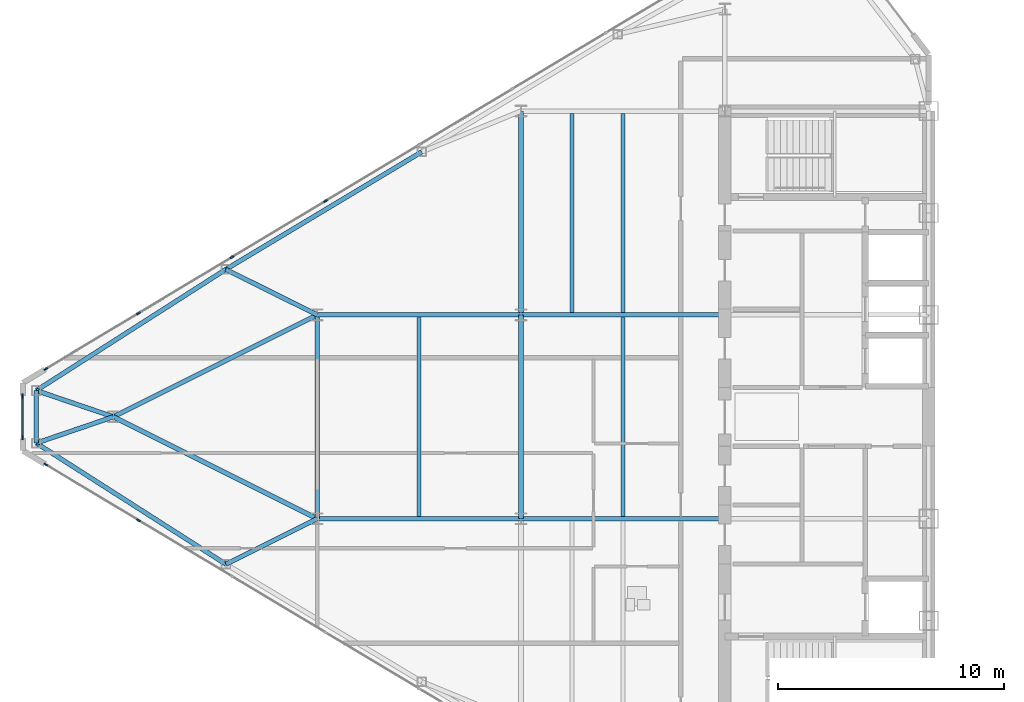
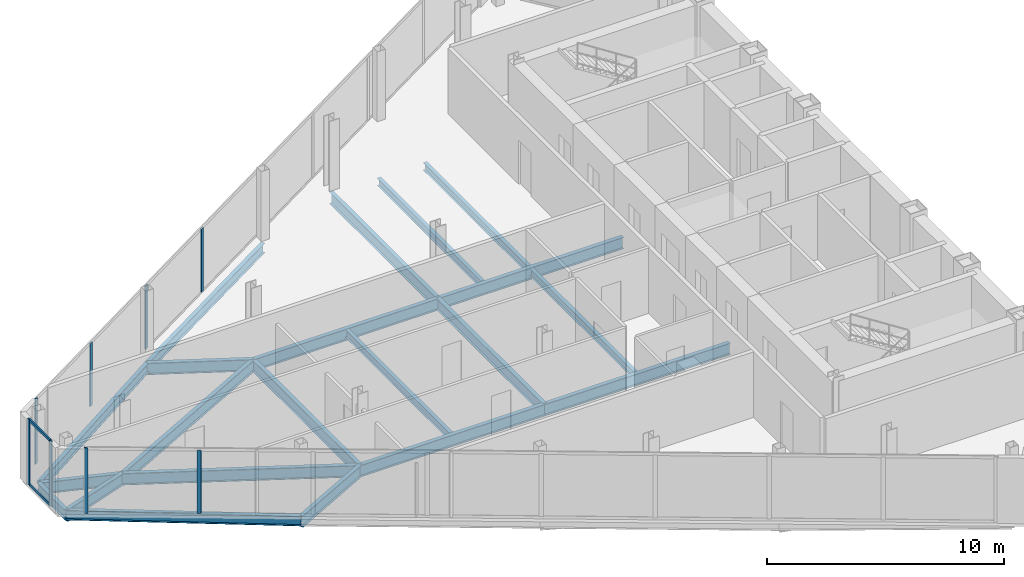
# One storey, part 7 of 25: 21 beams, 10 members, 3 elements without a shape of their own.
"""IFC4 building model written with IfcOpenShell, lengths in metres."""

from ifc_helpers import new_model, si_unit, direction, frame, origin, origin_2d, place, context, subcontext, project, spatial, rectangle, i_section, extrude, source, transform, mapped, material, layer, layer_set, material_profile, profile_set, type_object, type_shapes, element, aggregate, save


model = new_model("IFC4")

# Units and contexts
model_context = context("Model", 3, precision=1e-05, world=origin(), true_north=direction((0.0, 1.0)))
body_context = subcontext(model_context, "Body", "Model", "MODEL_VIEW")
ifc_project = project(units=[si_unit("LENGTHUNIT", "METRE"), si_unit("AREAUNIT", "SQUARE_METRE"), si_unit("VOLUMEUNIT", "CUBIC_METRE"), si_unit("PLANEANGLEUNIT", "RADIAN"), si_unit("MASSUNIT", "GRAM", prefix="KILO")], contexts=[model_context])

# Site, building, storey
site_placement = place(None, origin())
site = spatial("IfcSite", under=ifc_project, at=site_placement, CompositionType="ELEMENT")
building_placement = place(site_placement, origin())
building = spatial("IfcBuilding", under=site, at=building_placement, Name="Seokmaru Belvedere", CompositionType="ELEMENT")
storey_placement = place(building_placement, frame((0.0, 0.0, 206.699951171875)))
storey = spatial("IfcBuildingStorey", under=building, at=storey_placement, Name="L55", CompositionType="ELEMENT", Elevation=206.699951171875)

# Beams
ifc_material_1 = material(Name="Steel SM355 (355 MPa)", Category="steel")
ifc_material_profile_1 = material_profile(ifc_material_1, i_section(OverallWidth=0.199951171875, OverallDepth=0.60009765625, WebThickness=0.010986328125, FlangeThickness=0.01708984375, at=origin_2d()), Name="H-600x200x11x17")
ifc_profile_set_1 = profile_set([ifc_material_profile_1], Name="Steel SM355 (355 MPa)")
beam_type_1 = type_object("IfcBeamType", Name="Primary Floor Girder H-600", PredefinedType="BEAM", material=ifc_profile_set_1)
shared_shape_1 = source(origin(), body_context, "Body", "SweptSolid", [
    extrude(i_section(OverallWidth=0.199951171875, OverallDepth=0.60009765625, WebThickness=0.010986328125, FlangeThickness=0.01708984375, at=origin_2d()), origin(), (0.0, 0.0, 1.0), 9.0),
])
for number, where, z_axis, x_axis, name in (
    (1, (-45.5, -4.5, -0.52001953125), (0.0, 1.0, 0.0), (-1.0, 0.0, 0.0), "L55 W Interior Grid Girder 2"),
    (2, (-45.5, 4.5, -0.52001953125), (0.0, 1.0, 0.0), (-1.0, 0.0, 0.0), "L55 W Interior Grid Girder 3"),
    (3, (-45.5, -4.5, -0.52001953125), (1.0, 0.0, 0.0), (0.0, 1.0, 0.0), "L55 W Wing Primary Girder 2"),
    (4, (-45.5, 4.5, -0.52001953125), (1.0, 0.0, 0.0), (0.0, 1.0, 0.0), "L55 W Wing Primary Girder 3"),
    (5, (-54.5, -4.5, -0.52001953125), (1.0, 0.0, 0.0), (0.0, 1.0, 0.0), "L55 W Outer Wing Girder 1"),
    (6, (-54.5, 4.5, -0.52001953125), (1.0, 0.0, 0.0), (0.0, 1.0, 0.0), "L55 W Outer Wing Girder 2"),
    (7, (-54.5, -4.5, -0.52001953125), (0.0, 1.0, 0.0), (-1.0, 0.0, 0.0), "L55 W Apex Frame Girder"),
):
    element("IfcBeam", number, at=place(storey_placement, frame(where, z_axis=z_axis, x_axis=x_axis)), inside=storey, type_object=beam_type_1, Name=name, PredefinedType="BEAM", context=body_context, shape_type="MappedRepresentation", body=[
        mapped(shared_shape_1, transform((0.0, 0.0, 0.0), scale=1.0)),
    ])
shared_shape_2 = source(origin(), body_context, "Body", "SweptSolid", [
    extrude(i_section(OverallWidth=0.199951171875, OverallDepth=0.60009765625, WebThickness=0.010986328125, FlangeThickness=0.01708984375, at=origin_2d()), origin(), (0.0, 0.0, 1.0), 10.062255859375),
])
for number, where, z_axis, x_axis, name in (
    (8, (-54.5, -4.5, -0.52001953125), (-0.894427191, 0.4472135955, 0.0), (-0.4472135955, -0.894427191, 0.0), "L55 W Apex Converging Girder 1"),
    (9, (-54.5, 4.5, -0.52001953125), (-0.894427191, -0.4472135955, 0.0), (0.4472135955, -0.894427191, 0.0), "L55 W Apex Converging Girder 2"),
):
    element("IfcBeam", number, at=place(storey_placement, frame(where, z_axis=z_axis, x_axis=x_axis)), inside=storey, type_object=beam_type_1, Name=name, PredefinedType="BEAM", context=body_context, shape_type="MappedRepresentation", body=[
        mapped(shared_shape_2, transform((0.0, 0.0, 0.0), scale=1.0)),
    ])
ifc_material_profile_2 = material_profile(ifc_material_1, i_section(OverallWidth=0.18505859375, OverallDepth=0.389892578125, WebThickness=0.008056640625, FlangeThickness=0.011962890625, at=origin_2d()), Name="H-390x185x8x12")
ifc_profile_set_2 = profile_set([ifc_material_profile_2], Name="Steel SM355 (355 MPa)")
beam_type_2 = type_object("IfcBeamType", Name="Secondary Floor Joist H-350", PredefinedType="JOIST", material=ifc_profile_set_2)
shared_shape_3 = source(origin(), body_context, "Body", "SweptSolid", [
    extrude(i_section(OverallWidth=0.18505859375, OverallDepth=0.389892578125, WebThickness=0.008056640625, FlangeThickness=0.011962890625, at=origin_2d()), origin(), (0.0, 0.0, 1.0), 8.7900390625),
])
type_shapes(beam_type_2, [shared_shape_3])
for number, where, z_axis, x_axis, name in (
    (10, (-43.25, 4.60498046875, -0.4150390625), (0.0, 1.0, 0.0), (-1.0, 0.0, 0.0), "L55 W Wing Inner Secondary Joist 2"),
    (11, (-41.0, -4.39501953125, -0.4150390625), (0.0, 1.0, 0.0), (-1.0, 0.0, 0.0), "L55 W Secondary Floor Joist 2"),
    (12, (-41.0, 4.60498046875, -0.4150390625), (0.0, 1.0, 0.0), (-1.0, 0.0, 0.0), "L55 W Secondary Floor Joist 3"),
    (13, (-50.0, -4.39501953125, -0.4150390625), (0.0, 1.0, 0.0), (-1.0, 0.0, 0.0), "L55 W Outer Bay Secondary Joist"),
):
    element("IfcBeam", number, at=place(storey_placement, frame(where, z_axis=z_axis, x_axis=x_axis)), inside=storey, type_object=beam_type_2, Name=name, PredefinedType="JOIST", context=body_context, shape_type="MappedRepresentation", body=[
        mapped(shared_shape_3, transform((0.0, 0.0, 0.0), scale=1.0)),
    ])
ifc_material_profile_3 = material_profile(ifc_material_1, i_section(OverallWidth=0.199951171875, OverallDepth=0.5, WebThickness=0.010009765625, FlangeThickness=0.01611328125, at=origin_2d()), Name="H-500x200x10x16")
ifc_profile_set_3 = profile_set([ifc_material_profile_3], Name="Steel SM355 (355 MPa)")
beam_type_3 = type_object("IfcBeamType", Name="Perimeter Spandrel Beam H-500", PredefinedType="SPANDREL", material=ifc_profile_set_3)
shared_shape_4 = source(origin(), body_context, "Body", "SweptSolid", [
    extrude(i_section(OverallWidth=0.199951171875, OverallDepth=0.5, WebThickness=0.010009765625, FlangeThickness=0.01611328125, at=origin_2d()), origin(), (0.0, 0.0, 1.0), 10.087646484375),
])
beam_1_placement = place(storey_placement, frame((-49.8798828125, 11.698974609375, -0.469970703125), z_axis=(-0.857488654804, -0.514502873542, 0.0), x_axis=(0.514502873542, -0.857488654804, 0.0)))
element("IfcBeam", 14, at=beam_1_placement, inside=storey, type_object=beam_type_3, Name="L55 W Faceted Flank Spandrel N-3", PredefinedType="SPANDREL", context=body_context, shape_type="MappedRepresentation", body=[
    mapped(shared_shape_4, transform((0.0, 0.0, 0.0), scale=1.0)),
])
shared_shape_5 = source(origin(), body_context, "Body", "SweptSolid", [
    extrude(i_section(OverallWidth=0.199951171875, OverallDepth=0.5, WebThickness=0.010009765625, FlangeThickness=0.01611328125, at=origin_2d()), origin(), (0.0, 0.0, 1.0), 9.932861328125),
])
for number, where, z_axis, x_axis, name in (
    (15, (-58.530029296875, -6.5087890625, -0.469970703125), (-0.842651960357, 0.538458609093, 0.0), (-0.538458609093, -0.842651960357, 0.0), "L55 W Faceted Flank Spandrel S-4"),
    (16, (-58.530029296875, 6.5087890625, -0.469970703125), (-0.842651960357, -0.538458609093, 0.0), (0.538458609093, -0.842651960357, 0.0), "L55 W Faceted Flank Spandrel N-4"),
):
    element("IfcBeam", number, at=place(storey_placement, frame(where, z_axis=z_axis, x_axis=x_axis)), inside=storey, type_object=beam_type_3, Name=name, PredefinedType="SPANDREL", context=body_context, shape_type="MappedRepresentation", body=[
        mapped(shared_shape_5, transform((0.0, 0.0, 0.0), scale=1.0)),
    ])
shared_shape_6 = source(origin(), body_context, "Body", "SweptSolid", [
    extrude(i_section(OverallWidth=0.199951171875, OverallDepth=0.5, WebThickness=0.010009765625, FlangeThickness=0.01611328125, at=origin_2d()), origin(), (0.0, 0.0, 1.0), 2.32080078125),
])
type_shapes(beam_type_3, [shared_shape_4, shared_shape_5, shared_shape_6])
beam_2_placement = place(storey_placement, frame((-66.89990234375, -1.160400390625, -0.469970703125), z_axis=(0.0, 1.0, 0.0), x_axis=(-1.0, 0.0, 0.0)))
element("IfcBeam", 17, at=beam_2_placement, inside=storey, type_object=beam_type_3, Name="L55 W Faceted Apex Spandrel", PredefinedType="SPANDREL", context=body_context, shape_type="MappedRepresentation", body=[
    mapped(shared_shape_6, transform((0.0, 0.0, 0.0), scale=1.0)),
])
shared_shape_7 = source(origin(), body_context, "Body", "SweptSolid", [
    extrude(i_section(OverallWidth=0.199951171875, OverallDepth=0.60009765625, WebThickness=0.010986328125, FlangeThickness=0.01708984375, at=origin_2d()), origin(), (0.0, 0.0, 1.0), 4.5029296875),
])
for number, where, z_axis, x_axis, name in (
    (18, (-58.530029296875, -6.5087890625, -0.52001953125), (0.894979532585, 0.446107202648, 0.0), (-0.446107202648, 0.894979532585, 0.0), "L55 W Flank Radial Floor Girder S-3"),
    (19, (-58.530029296875, 6.5087890625, -0.52001953125), (0.894979532585, -0.446107202648, 0.0), (0.446107202648, 0.894979532585, 0.0), "L55 W Flank Radial Floor Girder N-3"),
):
    element("IfcBeam", number, at=place(storey_placement, frame(where, z_axis=z_axis, x_axis=x_axis)), inside=storey, type_object=beam_type_1, Name=name, PredefinedType="BEAM", context=body_context, shape_type="MappedRepresentation", body=[
        mapped(shared_shape_7, transform((0.0, 0.0, 0.0), scale=1.0)),
    ])
shared_shape_8 = source(origin(), body_context, "Body", "SweptSolid", [
    extrude(i_section(OverallWidth=0.199951171875, OverallDepth=0.60009765625, WebThickness=0.010986328125, FlangeThickness=0.01708984375, at=origin_2d()), origin(), (0.0, 0.0, 1.0), 3.592529296875),
])
type_shapes(beam_type_1, [shared_shape_1, shared_shape_2, shared_shape_7, shared_shape_8])
for number, where, z_axis, x_axis, name in (
    (20, (-66.89990234375, -1.160400390625, -0.52001953125), (0.946395973048, 0.323008764893, 0.0), (-0.323008764893, 0.946395973048, 0.0), "L55 W Apex Radial Floor Girder 1"),
    (21, (-66.89990234375, 1.160400390625, -0.52001953125), (0.946395973048, -0.323008764893, 0.0), (0.323008764893, 0.946395973048, 0.0), "L55 W Apex Radial Floor Girder 2"),
):
    element("IfcBeam", number, at=place(storey_placement, frame(where, z_axis=z_axis, x_axis=x_axis)), inside=storey, type_object=beam_type_1, Name=name, PredefinedType="BEAM", context=body_context, shape_type="MappedRepresentation", body=[
        mapped(shared_shape_8, transform((0.0, 0.0, 0.0), scale=1.0)),
    ])

# Curtain wall, members
ifc_material_2 = material(Name="Bronze Triple Insulating Glass", Category="glass")
ifc_layer = layer(ifc_material_2, 0.179931640625)
ifc_layer_set = layer_set([ifc_layer], Name="Bronze Triple Insulating Glass")
curtain_wall_type = type_object("IfcCurtainWallType", Name="High-Rise Wind-Corner Curtain Wall System CW-5", PredefinedType="NOTDEFINED", material=ifc_layer_set)
curtain_wall_1_placement = place(storey_placement, origin())
curtain_wall_1 = element("IfcCurtainWall", 22, at=curtain_wall_1_placement, inside=storey, type_object=curtain_wall_type, Name="L55 Curtain Wall WF3", PredefinedType="NOTDEFINED")
ifc_material_3 = material(Name="Anodised Bronze Aluminium", Category="aluminium")
ifc_material_profile_4 = material_profile(ifc_material_3, rectangle(XDim=0.06494140625, YDim=0.179931640625, at=origin_2d()), Name="CW-M-65x180")
ifc_profile_set_4 = profile_set([ifc_material_profile_4], Name="Anodised Bronze Aluminium")
member_type_1 = type_object("IfcMemberType", Name="Bronze Unitised Mullion 65x180", PredefinedType="MULLION", material=ifc_profile_set_4)
shared_shape_9 = source(origin(), body_context, "Body", "SweptSolid", [
    extrude(rectangle(XDim=0.06494140625, YDim=0.179931640625, at=origin_2d()), origin(), (0.0, 0.0, 1.0), 3.25),
])
member_1_placement = place(storey_placement, frame((-54.12841796875, 9.52294921875, 0.06494140625), z_axis=(0.0, 0.0, 1.0), x_axis=(0.514494909364, -0.85749343335, 0.0)))
member_1 = element("IfcMember", 23, at=member_1_placement, type_object=member_type_1, Name="CW:L55:WF3 Mullion 6", PredefinedType="MULLION", context=body_context, shape_type="MappedRepresentation", body=[
    mapped(shared_shape_9, transform((0.0, 0.0, 0.0), scale=1.0)),
])
member_2_placement = place(storey_placement, frame((-58.257080078125, 7.0458984375, 0.06494140625), z_axis=(0.0, 0.0, 1.0), x_axis=(0.514494909364, -0.85749343335, 0.0)))
member_2 = element("IfcMember", 24, at=member_2_placement, type_object=member_type_1, Name="CW:L55:WF3 Mullion 7", PredefinedType="MULLION", context=body_context, shape_type="MappedRepresentation", body=[
    mapped(shared_shape_9, transform((0.0, 0.0, 0.0), scale=1.0)),
])
member_3_placement = place(storey_placement, frame((-62.385498046875, 4.56884765625, 0.06494140625), z_axis=(0.0, 0.0, 1.0), x_axis=(0.514494909364, -0.85749343335, 0.0)))
member_3 = element("IfcMember", 25, at=member_3_placement, type_object=member_type_1, Name="CW:L55:WF3 Mullion 8", PredefinedType="MULLION", context=body_context, shape_type="MappedRepresentation", body=[
    mapped(shared_shape_9, transform((0.0, 0.0, 0.0), scale=1.0)),
])

# Curtain wall, member
curtain_wall_2_placement = place(storey_placement, origin())
curtain_wall_2 = element("IfcCurtainWall", 26, at=curtain_wall_2_placement, inside=storey, type_object=curtain_wall_type, Name="L55 Curtain Wall WF5", PredefinedType="NOTDEFINED")
member_4_placement = place(storey_placement, frame((-62.385498046875, -4.56884765625, 0.06494140625), z_axis=(0.0, 0.0, 1.0), x_axis=(0.514494909364, 0.85749343335, 0.0)))
member_4 = element("IfcMember", 27, at=member_4_placement, type_object=member_type_1, Name="CW:L55:WF5 Mullion 2", PredefinedType="MULLION", context=body_context, shape_type="MappedRepresentation", body=[
    mapped(shared_shape_9, transform((0.0, 0.0, 0.0), scale=1.0)),
])

# Member
shared_shape_10 = source(origin(), body_context, "Body", "SweptSolid", [
    extrude(rectangle(XDim=0.06494140625, YDim=0.179931640625, at=origin_2d()), origin(), (0.0, 0.0, 1.0), 3.380126953125),
])
type_shapes(member_type_1, [shared_shape_9, shared_shape_10])
member_5_placement = place(storey_placement, frame((-66.486083984375, 2.1083984375, 0.0), z_axis=(0.0, 0.0, 1.0), x_axis=(0.514494909364, -0.85749343335, 0.0)))
member_5 = element("IfcMember", 28, at=member_5_placement, type_object=member_type_1, Name="CW:L55:WF3 Mullion 9", PredefinedType="MULLION", context=body_context, shape_type="MappedRepresentation", body=[
    mapped(shared_shape_10, transform((0.0, 0.0, 0.0), scale=1.0)),
])

aggregate(curtain_wall_1, [member_1, member_2, member_3, member_5])

# Curtain wall, members
curtain_wall_3_placement = place(storey_placement, origin())
curtain_wall_3 = element("IfcCurtainWall", 29, at=curtain_wall_3_placement, inside=storey, type_object=curtain_wall_type, Name="L55 Curtain Wall WF4", PredefinedType="NOTDEFINED")
member_6_placement = place(storey_placement, frame((-67.5, 0.91748046875, 0.0), z_axis=(0.0, 0.0, 1.0), x_axis=(1.0, 0.0, 0.0)))
member_6 = element("IfcMember", 30, at=member_6_placement, type_object=member_type_1, Name="CW:L55:WF4 Mullion 1", PredefinedType="MULLION", context=body_context, shape_type="MappedRepresentation", body=[
    mapped(shared_shape_10, transform((0.0, 0.0, 0.0), scale=1.0)),
])
member_7_placement = place(storey_placement, frame((-67.5, -0.91748046875, 0.0), z_axis=(0.0, 0.0, 1.0), x_axis=(1.0, 0.0, 0.0)))
member_7 = element("IfcMember", 31, at=member_7_placement, type_object=member_type_1, Name="CW:L55:WF4 Mullion 2", PredefinedType="MULLION", context=body_context, shape_type="MappedRepresentation", body=[
    mapped(shared_shape_10, transform((0.0, 0.0, 0.0), scale=1.0)),
])

# Member
member_8_placement = place(storey_placement, frame((-66.486083984375, -2.1083984375, 0.0), z_axis=(0.0, 0.0, 1.0), x_axis=(0.514494909364, 0.85749343335, 0.0)))
member_8 = element("IfcMember", 32, at=member_8_placement, type_object=member_type_1, Name="CW:L55:WF5 Mullion 1", PredefinedType="MULLION", context=body_context, shape_type="MappedRepresentation", body=[
    mapped(shared_shape_10, transform((0.0, 0.0, 0.0), scale=1.0)),
])

aggregate(curtain_wall_2, [member_8, member_4])

ifc_material_profile_5 = material_profile(ifc_material_3, rectangle(XDim=0.06494140625, YDim=0.14990234375, at=origin_2d()), Name="CW-T-65x150")
ifc_profile_set_5 = profile_set([ifc_material_profile_5], Name="Anodised Bronze Aluminium")
member_type_2 = type_object("IfcMemberType", Name="Bronze Unitised Transom 65x150", PredefinedType="USERDEFINED", material=ifc_profile_set_5)
shared_shape_11 = source(origin(), body_context, "Body", "SweptSolid", [
    extrude(rectangle(XDim=0.06494140625, YDim=0.14990234375, at=origin_2d()), origin(), (0.0, 0.0, 1.0), 1.77001953125),
])
type_shapes(member_type_2, [shared_shape_11])
member_9_placement = place(storey_placement, frame((-67.5, 0.885009765625, 0.032470703125), z_axis=(0.0, -1.0, 0.0), x_axis=(1.0, 0.0, 0.0)))
member_9 = element("IfcMember", 33, at=member_9_placement, type_object=member_type_2, Name="CW:L55:WF4 Continuous Transom 1", ObjectType="TRANSOM", PredefinedType="USERDEFINED", context=body_context, shape_type="MappedRepresentation", body=[
    mapped(shared_shape_11, transform((0.0, 0.0, 0.0), scale=1.0)),
])

member_10_placement = place(storey_placement, frame((-67.5, 0.885009765625, 3.34765625), z_axis=(0.0, -1.0, 0.0), x_axis=(1.0, 0.0, 0.0)))
member_10 = element("IfcMember", 34, at=member_10_placement, type_object=member_type_2, Name="CW:L55:WF4 Continuous Transom 2", ObjectType="TRANSOM", PredefinedType="USERDEFINED", context=body_context, shape_type="MappedRepresentation", body=[
    mapped(shared_shape_11, transform((0.0, 0.0, 0.0), scale=1.0)),
])

aggregate(curtain_wall_3, [member_6, member_7, member_9, member_10])

save(model, "model.ifc")
